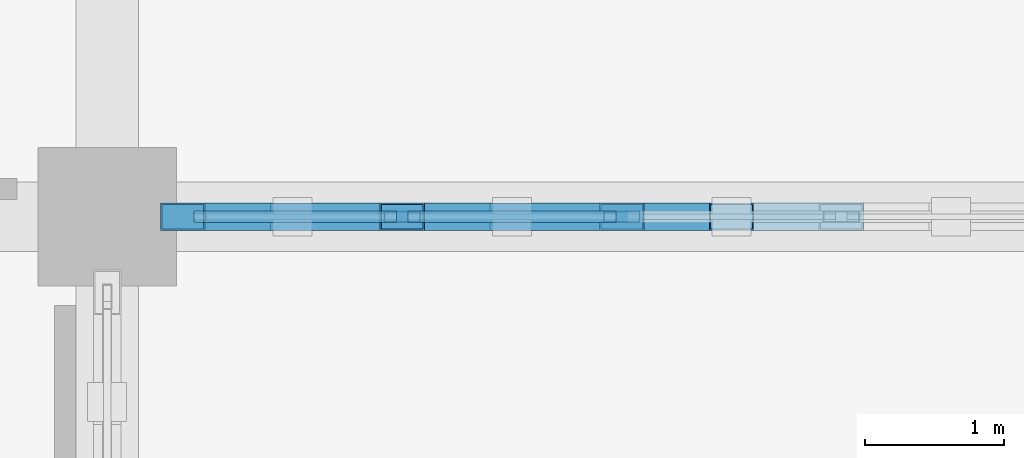
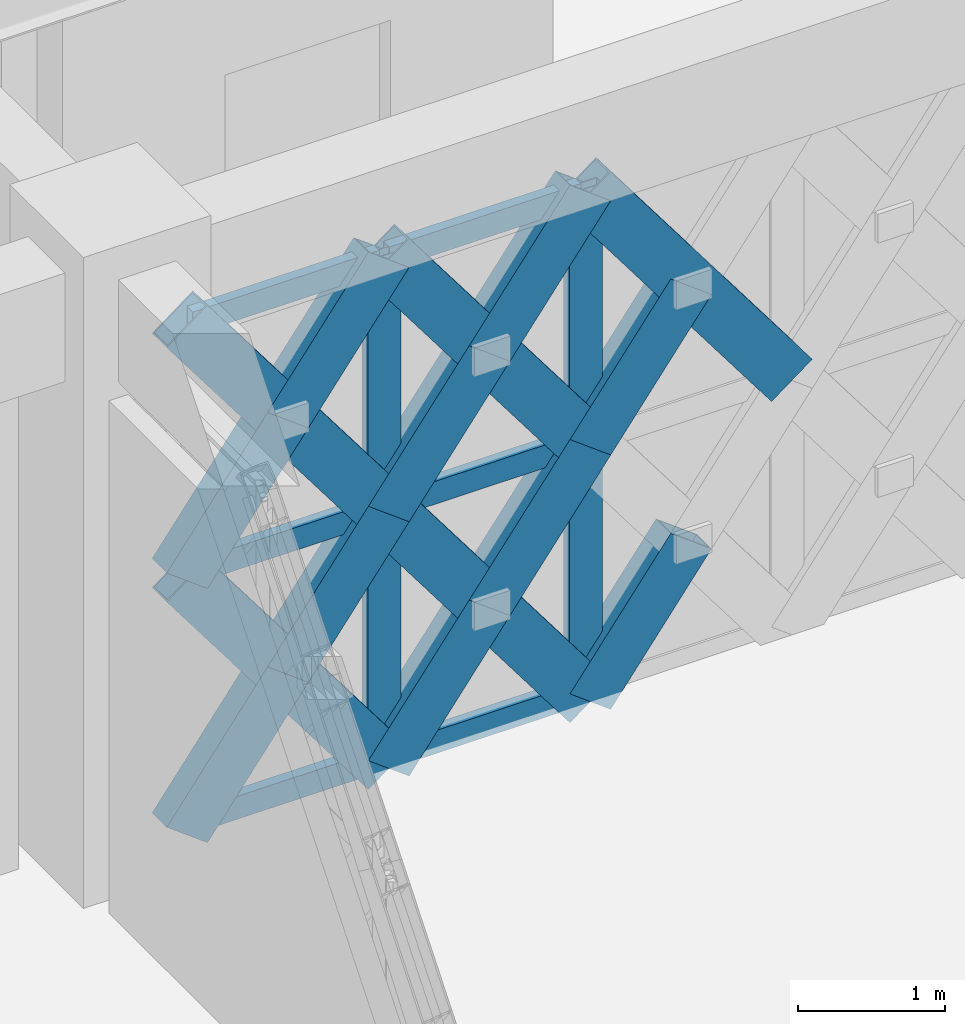
# One storey, part 59 of 140: 23 members, 1 element without a shape of its own.
"""IFC4 building model written with IfcOpenShell, lengths in metres."""

import ifcopenshell
import ifcopenshell.guid

model = None  # the IFC model being written
_history = None  # IfcOwnerHistory: only IFC2X3 demands one
_inside = {}  # id of a spatial element -> (the spatial element, [elements in it])
_under = {}  # id of a project, library or spatial element -> (it, [spatial elements below it])
_declared = {}  # id of a project -> (the project, [libraries it declares])
_typed = {}  # id of a type object -> (the type object, [elements of that type])
_made_of = {}  # id of a material, layer set ... -> (it, [elements and type objects made of it])


def new_model(schema):
    """Start an empty IFC model of exactly this schema.

    Asked for "IFC4X3", IfcOpenShell would pick the latest addendum, in which some entities
    have other attributes; the version numbers below select the first issue.
    IFC2X3 requires an IfcOwnerHistory on every rooted entity: one is made here for all.
    """
    global model, _history
    if schema == "IFC4X3":
        model = ifcopenshell.file(schema_version=(4, 3, 0, 0))
    else:
        model = ifcopenshell.file(schema=schema)
    _inside.clear()
    _under.clear()
    _declared.clear()
    _typed.clear()
    _made_of.clear()
    _history = None
    if model.schema == "IFC2X3":
        org = make("IfcOrganization", Name="unknown")
        user = make(
            "IfcPersonAndOrganization",
            ThePerson=make("IfcPerson", FamilyName="unknown"),
            TheOrganization=org,
        )
        app = make(
            "IfcApplication",
            ApplicationDeveloper=org,
            Version="unknown",
            ApplicationFullName="unknown",
            ApplicationIdentifier="unknown",
        )
        _history = make(
            "IfcOwnerHistory",
            OwningUser=user,
            OwningApplication=app,
            ChangeAction="ADDED",
            CreationDate=0,
        )
    return model


def make(cls, **values):
    """One entity of the class cls with the attributes given. An attribute that is None is left unset."""
    return model.create_entity(
        cls, **{name: value for name, value in values.items() if value is not None}
    )


def rooted(cls, **values):
    """An entity with a GlobalId (a new one), such as an element, a storey or a relation."""
    return make(cls, GlobalId=ifcopenshell.guid.new(), OwnerHistory=_history, **values)


def si_unit(unit_type, name, prefix=None):
    """IfcSIUnit, for example si_unit("LENGTHUNIT", "METRE", prefix="MILLI")."""
    return make("IfcSIUnit", UnitType=unit_type, Prefix=prefix, Name=name)


def assignment(units):
    """IfcUnitAssignment: the units of a project."""
    return None if units is None else make("IfcUnitAssignment", Units=units)


def point(xyz):
    """IfcCartesianPoint."""
    return None if xyz is None else make("IfcCartesianPoint", Coordinates=xyz)


def direction(xyz):
    """IfcDirection."""
    return None if xyz is None else make("IfcDirection", DirectionRatios=xyz)


def frame(location, z_axis=None, x_axis=None):
    """IfcAxis2Placement3D, a coordinate frame: its origin and axes. An axis left out is left unset."""
    return make(
        "IfcAxis2Placement3D",
        Location=point(location),
        Axis=direction(z_axis),
        RefDirection=direction(x_axis),
    )


def frame_2d(location, x_axis=None):
    """IfcAxis2Placement2D, a coordinate frame in the plane: its origin and x axis."""
    return make(
        "IfcAxis2Placement2D", Location=point(location), RefDirection=direction(x_axis)
    )


def origin():
    """The frame at (0, 0, 0) with its axes left unset."""
    return frame((0.0, 0.0, 0.0))


def origin_2d():
    """The frame at (0, 0) in the plane with its x axis left unset."""
    return frame_2d((0.0, 0.0))


def place(relative_to, where):
    """IfcLocalPlacement: puts the frame where relative to a parent placement (None: the world)."""
    return make(
        "IfcLocalPlacement", PlacementRelTo=relative_to, RelativePlacement=where
    )


def context(
    kind, dimensions, precision=None, world=None, true_north=None, identifier=None
):
    """IfcGeometricRepresentationContext, for example the 3D "Model" context."""
    return make(
        "IfcGeometricRepresentationContext",
        ContextIdentifier=identifier,
        ContextType=kind,
        CoordinateSpaceDimension=dimensions,
        Precision=precision,
        WorldCoordinateSystem=world,
        TrueNorth=true_north,
    )


def subcontext(parent, identifier, kind, view, scale=None):
    """IfcGeometricRepresentationSubContext, for example "Body" below "Model"."""
    return make(
        "IfcGeometricRepresentationSubContext",
        ContextIdentifier=identifier,
        ContextType=kind,
        ParentContext=parent,
        TargetScale=scale,
        TargetView=view,
    )


def project(units=None, contexts=None):
    """IfcProject with its units and contexts."""
    return rooted(
        "IfcProject",
        Name="project",
        RepresentationContexts=contexts,
        UnitsInContext=assignment(units),
    )


def spatial(cls, under=None, at=None, **own):
    """A site, building, storey or space (cls), placed at a placement, below another one or the project."""
    s = rooted(cls, ObjectPlacement=at, **own)
    if under is not None:
        _under.setdefault(under.id(), (under, []))[1].append(s)
    return s


def profile(cls, at=None, kind="AREA", **sizes):
    """A parametric profile (cls). Its sizes go by their IFC names, for example OverallWidth=200.0."""
    return make(cls, ProfileType=kind, Position=at, **sizes)


def hollow_rectangle(**sizes):
    """IfcRectangleHollowProfileDef."""
    return profile("IfcRectangleHollowProfileDef", **sizes)


def extrude(swept, where, along, depth):
    """IfcExtrudedAreaSolid: the profile swept, set in the frame where, extruded along a direction by depth."""
    return make(
        "IfcExtrudedAreaSolid",
        SweptArea=swept,
        Position=where,
        ExtrudedDirection=direction(along),
        Depth=depth,
    )


def shape(context_of_items, identifier, shape_type, items):
    """IfcShapeRepresentation: the items that make up one representation, for example the "Body"."""
    return make(
        "IfcShapeRepresentation",
        ContextOfItems=context_of_items,
        RepresentationIdentifier=identifier,
        RepresentationType=shape_type,
        Items=items,
    )


def material(Name=None, Category=None):
    """IfcMaterial."""
    return make("IfcMaterial", Name=Name, Category=Category)


def material_profile(
    of_material, cross_section, Name=None, Category=None, Priority=None
):
    """IfcMaterialProfile: a cross section and its material."""
    return make(
        "IfcMaterialProfile",
        Name=Name,
        Material=of_material,
        Profile=cross_section,
        Priority=Priority,
        Category=Category,
    )


def profile_set(profiles, Name=None, composite=None):
    """IfcMaterialProfileSet."""
    return make(
        "IfcMaterialProfileSet",
        Name=Name,
        MaterialProfiles=profiles,
        CompositeProfile=composite,
    )


def made_of(thing, what):
    """Note that an element or type object is made of a material, layer set ...; save() writes the relation."""
    if what is not None:
        _made_of.setdefault(what.id(), (what, []))[1].append(thing)
    return thing


def type_object(cls, material=None, **own):
    """A type object (cls), such as IfcWallType, which elements share."""
    return made_of(rooted(cls, **own), material)


def element(
    cls,
    number,
    at=None,
    inside=None,
    cuts=None,
    type_object=None,
    material=None,
    context=None,
    identifier="Body",
    shape_type=None,
    held_by="IfcProductDefinitionShape",
    body=None,
    shapes=None,
    **own,
):
    """One element of the class cls, such as IfcWall. Its Tag is "e" and its number.

    at: its placement. inside: the storey or other place that contains it. cuts: it is an
    opening in that element (IfcRelVoidsElement). A single representation is given by context,
    identifier, shape_type and body (its items); several are given by shapes. held_by: the class
    of the entity that holds the representations. save() writes the other relations.
    """
    e = rooted(cls, Tag="e%d" % number, ObjectPlacement=at, **own)
    if body is not None:
        shapes = [shape(context, identifier, shape_type, body)]
    if shapes is not None:
        e.Representation = make(held_by, Representations=shapes)
    if inside is not None:
        _inside.setdefault(inside.id(), (inside, []))[1].append(e)
    if cuts is not None:
        rooted(
            "IfcRelVoidsElement", RelatingBuildingElement=cuts, RelatedOpeningElement=e
        )
    if type_object is not None:
        _typed.setdefault(type_object.id(), (type_object, []))[1].append(e)
    return made_of(e, material)


def aggregate(whole, parts):
    """IfcRelAggregates: a whole, such as a stair, and the parts it consists of."""
    return rooted("IfcRelAggregates", RelatingObject=whole, RelatedObjects=parts)


def save(model, path):
    """Write the relations noted so far, then the file.

    IfcRelAggregates (storeys below a building ...), IfcRelContainedInSpatialStructure (elements
    in a storey), IfcRelDefinesByType, IfcRelAssociatesMaterial and IfcRelDeclares: one each for
    every whole, place, type object, material and project.
    """
    for whole, parts in _under.values():
        aggregate(whole, parts)
    for where, things in _inside.values():
        rooted(
            "IfcRelContainedInSpatialStructure",
            RelatedElements=things,
            RelatingStructure=where,
        )
    for kind, things in _typed.values():
        rooted("IfcRelDefinesByType", RelatedObjects=things, RelatingType=kind)
    for what, things in _made_of.values():
        rooted("IfcRelAssociatesMaterial", RelatedObjects=things, RelatingMaterial=what)
    for by, libraries in _declared.values():
        rooted("IfcRelDeclares", RelatingContext=by, RelatedDefinitions=libraries)
    model.write(path)


model = new_model("IFC4")

# Units and contexts
model_context = context("Model", 3, precision=1e-05, world=origin(), true_north=direction((0.0, 1.0)))
body_context = subcontext(model_context, "Body", "Model", "MODEL_VIEW")
ifc_project = project(units=[si_unit("LENGTHUNIT", "METRE"), si_unit("AREAUNIT", "SQUARE_METRE"), si_unit("VOLUMEUNIT", "CUBIC_METRE"), si_unit("PLANEANGLEUNIT", "RADIAN"), si_unit("MASSUNIT", "GRAM", prefix="KILO")], contexts=[model_context])

# Site, building, storey
site_placement = place(None, origin())
site = spatial("IfcSite", under=ifc_project, at=site_placement, CompositionType="ELEMENT")
building_placement = place(site_placement, origin())
building = spatial("IfcBuilding", under=site, at=building_placement, Name="Haizhuo Lancet Aquarium", CompositionType="ELEMENT")
storey_placement = place(building_placement, origin())
storey = spatial("IfcBuildingStorey", under=building, at=storey_placement, Name="L00", CompositionType="ELEMENT", Elevation=0.0)

# Curtain wall, members
ifc_material_1 = material(Name="Aluminium 6063-T6", Category="aluminium")
curtain_wall_type = type_object("IfcCurtainWallType", Name="CWD-7910x4220", PredefinedType="NOTDEFINED", material=ifc_material_1)
curtain_wall_placement = place(storey_placement, origin())
curtain_wall = element("IfcCurtainWall", 1, at=curtain_wall_placement, inside=storey, type_object=curtain_wall_type, Name="L00 curtain wall CW-V5-L00-123", PredefinedType="NOTDEFINED")
ifc_material_profile_1 = material_profile(ifc_material_1, hollow_rectangle(XDim=0.080078125, YDim=0.260009765625, WallThickness=0.0048828125, at=origin_2d()), Name="ALU-M 80x260x5")
ifc_profile_set_1 = profile_set([ifc_material_profile_1], Name="Aluminium 6063-T6")
member_type_1 = type_object("IfcMemberType", Name="CW-MUL-3", PredefinedType="MULLION", material=ifc_profile_set_1)
member_1_placement = place(storey_placement, frame((12.708984375, 36.0, 0.0), z_axis=(0.0, 0.0, 1.0), x_axis=(0.0, -1.0, 0.0)))
member_1 = element("IfcMember", 2, at=member_1_placement, type_object=member_type_1, Name="CWD-79x42 mullion 4", PredefinedType="MULLION", context=body_context, shape_type="SweptSolid", body=[
    extrude(hollow_rectangle(XDim=0.080078125, YDim=0.260009765625, WallThickness=0.0048828125, at=origin_2d()), origin(), (0.0, 0.0, 1.0), 4.219970703125),
])
member_2_placement = place(storey_placement, frame((11.126953125, 36.0, 0.0), z_axis=(0.0, 0.0, 1.0), x_axis=(0.0, -1.0, 0.0)))
member_2 = element("IfcMember", 3, at=member_2_placement, type_object=member_type_1, Name="CWD-79x42 mullion 5", PredefinedType="MULLION", context=body_context, shape_type="SweptSolid", body=[
    extrude(hollow_rectangle(XDim=0.080078125, YDim=0.260009765625, WallThickness=0.0048828125, at=origin_2d()), origin(), (0.0, 0.0, 1.0), 4.219970703125),
])
ifc_material_profile_2 = material_profile(ifc_material_1, hollow_rectangle(XDim=0.080078125, YDim=0.18994140625, WallThickness=0.0048828125, at=origin_2d()), Name="ALU-T 80x190x5")
ifc_profile_set_2 = profile_set([ifc_material_profile_2], Name="Aluminium 6063-T6")
member_type_2 = type_object("IfcMemberType", Name="CW-TRN-3", PredefinedType="NOTDEFINED", material=ifc_profile_set_2)
member_3_placement = place(storey_placement, frame((12.6689453125, 36.0, 0.0400390625), z_axis=(-1.0, 0.0, 0.0), x_axis=(0.0, -1.0, 0.0)))
member_3 = element("IfcMember", 4, at=member_3_placement, type_object=member_type_2, Name="CWD-79x42 transom 4.1", ObjectType="TRANSOM", PredefinedType="USERDEFINED", context=body_context, shape_type="SweptSolid", body=[
    extrude(hollow_rectangle(XDim=0.080078125, YDim=0.18994140625, WallThickness=0.0048828125, at=origin_2d()), origin(), (0.0, 0.0, 1.0), 1.501953125),
])
member_4_placement = place(storey_placement, frame((12.6689453125, 36.0, 2.110107421875), z_axis=(-1.0, 0.0, 0.0), x_axis=(0.0, -1.0, 0.0)))
member_4 = element("IfcMember", 5, at=member_4_placement, type_object=member_type_2, Name="CWD-79x42 transom 4.2", ObjectType="TRANSOM", PredefinedType="USERDEFINED", context=body_context, shape_type="SweptSolid", body=[
    extrude(hollow_rectangle(XDim=0.080078125, YDim=0.18994140625, WallThickness=0.0048828125, at=origin_2d()), origin(), (0.0, 0.0, 1.0), 1.501953125),
])
member_5_placement = place(storey_placement, frame((12.6689453125, 36.0, 4.179931640625), z_axis=(-1.0, 0.0, 0.0), x_axis=(0.0, -1.0, 0.0)))
member_5 = element("IfcMember", 6, at=member_5_placement, type_object=member_type_2, Name="CWD-79x42 transom 4.3", ObjectType="TRANSOM", PredefinedType="USERDEFINED", context=body_context, shape_type="SweptSolid", body=[
    extrude(hollow_rectangle(XDim=0.080078125, YDim=0.18994140625, WallThickness=0.0048828125, at=origin_2d()), origin(), (0.0, 0.0, 1.0), 1.501953125),
])
member_6_placement = place(storey_placement, frame((11.0869140625, 36.0, 0.0400390625), z_axis=(-1.0, 0.0, 0.0), x_axis=(0.0, -1.0, 0.0)))
member_6 = element("IfcMember", 7, at=member_6_placement, type_object=member_type_2, Name="CWD-79x42 transom 5.1", ObjectType="TRANSOM", PredefinedType="USERDEFINED", context=body_context, shape_type="SweptSolid", body=[
    extrude(hollow_rectangle(XDim=0.080078125, YDim=0.18994140625, WallThickness=0.0048828125, at=origin_2d()), origin(), (0.0, 0.0, 1.0), 1.4619140625),
])
member_7_placement = place(storey_placement, frame((11.0869140625, 36.0, 2.110107421875), z_axis=(-1.0, 0.0, 0.0), x_axis=(0.0, -1.0, 0.0)))
member_7 = element("IfcMember", 8, at=member_7_placement, type_object=member_type_2, Name="CWD-79x42 transom 5.2", ObjectType="TRANSOM", PredefinedType="USERDEFINED", context=body_context, shape_type="SweptSolid", body=[
    extrude(hollow_rectangle(XDim=0.080078125, YDim=0.18994140625, WallThickness=0.0048828125, at=origin_2d()), origin(), (0.0, 0.0, 1.0), 1.4619140625),
])
member_8_placement = place(storey_placement, frame((11.0869140625, 36.0, 4.179931640625), z_axis=(-1.0, 0.0, 0.0), x_axis=(0.0, -1.0, 0.0)))
member_8 = element("IfcMember", 9, at=member_8_placement, type_object=member_type_2, Name="CWD-79x42 transom 5.3", ObjectType="TRANSOM", PredefinedType="USERDEFINED", context=body_context, shape_type="SweptSolid", body=[
    extrude(hollow_rectangle(XDim=0.080078125, YDim=0.18994140625, WallThickness=0.0048828125, at=origin_2d()), origin(), (0.0, 0.0, 1.0), 1.4619140625),
])
aggregate(curtain_wall, [member_1, member_2, member_3, member_4, member_5, member_6, member_7, member_8])

# Members
ifc_material_2 = material(Name="Steel S355", Category="steel")
ifc_material_profile_3 = material_profile(ifc_material_2, hollow_rectangle(XDim=0.199951171875, YDim=0.39990234375, WallThickness=0.011962890625, at=origin_2d()), Name="RHS 200x400x12")
ifc_profile_set_3 = profile_set([ifc_material_profile_3], Name="Steel S355")
member_type_3 = type_object("IfcMemberType", Name="MEM-LB-RHS200x400", PredefinedType="BRACE", material=ifc_profile_set_3)
member_9_placement = place(storey_placement, frame((12.708984375, 36.0, 0.0), z_axis=(0.599911120576, 0.0, 0.800066651854), x_axis=(0.0, 1.0, 0.0)))
element("IfcMember", 10, at=member_9_placement, inside=storey, type_object=member_type_3, Name="Gothic lancet split diagonal brace CW-V5-L00-123 5B1", PredefinedType="BRACE", context=body_context, shape_type="SweptSolid", body=[
    extrude(hollow_rectangle(XDim=0.199951171875, YDim=0.39990234375, WallThickness=0.011962890625, at=origin_2d()), origin(), (0.0, 0.0, 1.0), 1.318603515625),
])
member_10_placement = place(storey_placement, frame((14.291015625, 36.0, 2.110107421875), z_axis=(-0.599911120576, 0.0, 0.800066651854), x_axis=(0.0, -1.0, 0.0)))
element("IfcMember", 11, at=member_10_placement, inside=storey, type_object=member_type_3, Name="Gothic lancet continuous diagonal brace CW-V5-L00-123 6A", PredefinedType="BRACE", context=body_context, shape_type="SweptSolid", body=[
    extrude(hollow_rectangle(XDim=0.199951171875, YDim=0.39990234375, WallThickness=0.011962890625, at=origin_2d()), origin(), (0.0, 0.0, 1.0), 2.63720703125),
])
member_11_placement = place(storey_placement, frame((12.708984375, 36.0, 2.110107421875), z_axis=(0.599911120576, 0.0, 0.800066651854), x_axis=(0.0, 1.0, 0.0)))
element("IfcMember", 12, at=member_11_placement, inside=storey, type_object=member_type_3, Name="Gothic lancet split diagonal brace CW-V5-L00-123 6B1", PredefinedType="BRACE", context=body_context, shape_type="SweptSolid", body=[
    extrude(hollow_rectangle(XDim=0.199951171875, YDim=0.39990234375, WallThickness=0.011962890625, at=origin_2d()), origin(), (0.0, 0.0, 1.0), 1.318603515625),
])
member_12_placement = place(storey_placement, frame((12.708984375, 36.0, 0.0), z_axis=(-0.599866687962, 0.0, 0.800099966675), x_axis=(0.0, -1.0, 0.0)))
element("IfcMember", 13, at=member_12_placement, inside=storey, type_object=member_type_3, Name="Gothic lancet continuous diagonal brace CW-V5-L00-123 7A", PredefinedType="BRACE", context=body_context, shape_type="SweptSolid", body=[
    extrude(hollow_rectangle(XDim=0.199951171875, YDim=0.39990234375, WallThickness=0.011962890625, at=origin_2d()), origin(), (0.0, 0.0, 1.0), 2.63720703125),
])
member_13_placement = place(storey_placement, frame((11.126953125, 36.0, 0.0), z_axis=(0.599911120576, 0.0, 0.800066651854), x_axis=(0.0, 1.0, 0.0)))
element("IfcMember", 14, at=member_13_placement, inside=storey, type_object=member_type_3, Name="Gothic lancet split diagonal brace CW-V5-L00-123 7B1", PredefinedType="BRACE", context=body_context, shape_type="SweptSolid", body=[
    extrude(hollow_rectangle(XDim=0.199951171875, YDim=0.39990234375, WallThickness=0.011962890625, at=origin_2d()), origin(), (0.0, 0.0, 1.0), 1.318603515625),
])
member_14_placement = place(storey_placement, frame((11.91796875, 36.0, 1.054931640625), z_axis=(0.59982226008, 0.0, 0.800133274094), x_axis=(0.0, 1.0, 0.0)))
element("IfcMember", 15, at=member_14_placement, inside=storey, type_object=member_type_3, Name="Gothic lancet split diagonal brace CW-V5-L00-123 7B2", PredefinedType="BRACE", context=body_context, shape_type="SweptSolid", body=[
    extrude(hollow_rectangle(XDim=0.199951171875, YDim=0.39990234375, WallThickness=0.011962890625, at=origin_2d()), origin(), (0.0, 0.0, 1.0), 1.31884765625),
])
member_15_placement = place(storey_placement, frame((12.708984375, 36.0, 2.110107421875), z_axis=(-0.599911120576, 0.0, 0.800066651854), x_axis=(0.0, -1.0, 0.0)))
element("IfcMember", 16, at=member_15_placement, inside=storey, type_object=member_type_3, Name="Gothic lancet continuous diagonal brace CW-V5-L00-123 8A", PredefinedType="BRACE", context=body_context, shape_type="SweptSolid", body=[
    extrude(hollow_rectangle(XDim=0.199951171875, YDim=0.39990234375, WallThickness=0.011962890625, at=origin_2d()), origin(), (0.0, 0.0, 1.0), 2.63720703125),
])
for number, where, z_axis, x_axis, name in (
    (17, (11.126953125, 36.0, 2.110107421875), (0.599911120576, 0.0, 0.800066651854), (0.0, 1.0, 0.0), "Gothic lancet split diagonal brace CW-V5-L00-123 8B1"),
    (18, (11.91796875, 36.0, 3.1650390625), (0.599911120576, 0.0, 0.800066651854), (0.0, 1.0, 0.0), "Gothic lancet split diagonal brace CW-V5-L00-123 8B2"),
):
    element("IfcMember", number, at=place(storey_placement, frame(where, z_axis=z_axis, x_axis=x_axis)), inside=storey, type_object=member_type_3, Name=name, PredefinedType="BRACE", context=body_context, shape_type="SweptSolid", body=[
        extrude(hollow_rectangle(XDim=0.199951171875, YDim=0.39990234375, WallThickness=0.011962890625, at=origin_2d()), origin(), (0.0, 0.0, 1.0), 1.318603515625),
    ])
member_16_placement = place(storey_placement, frame((11.126953125, 36.0, 0.0), z_axis=(-0.599866687962, 0.0, 0.800099966675), x_axis=(0.0, -1.0, 0.0)))
element("IfcMember", 19, at=member_16_placement, inside=storey, type_object=member_type_3, Name="Gothic lancet continuous diagonal brace CW-V5-L00-123 9A", PredefinedType="BRACE", context=body_context, shape_type="SweptSolid", body=[
    extrude(hollow_rectangle(XDim=0.199951171875, YDim=0.39990234375, WallThickness=0.011962890625, at=origin_2d()), origin(), (0.0, 0.0, 1.0), 2.63720703125),
])
member_17_placement = place(storey_placement, frame((9.544921875, 36.0, 0.0), z_axis=(0.599911120576, 0.0, 0.800066651854), x_axis=(0.0, 1.0, 0.0)))
element("IfcMember", 20, at=member_17_placement, inside=storey, type_object=member_type_3, Name="Gothic lancet split diagonal brace CW-V5-L00-123 9B1", PredefinedType="BRACE", context=body_context, shape_type="SweptSolid", body=[
    extrude(hollow_rectangle(XDim=0.199951171875, YDim=0.39990234375, WallThickness=0.011962890625, at=origin_2d()), origin(), (0.0, 0.0, 1.0), 1.318603515625),
])
member_18_placement = place(storey_placement, frame((10.3359375, 36.0, 1.054931640625), z_axis=(0.59982226008, 0.0, 0.800133274094), x_axis=(0.0, 1.0, 0.0)))
element("IfcMember", 21, at=member_18_placement, inside=storey, type_object=member_type_3, Name="Gothic lancet split diagonal brace CW-V5-L00-123 9B2", PredefinedType="BRACE", context=body_context, shape_type="SweptSolid", body=[
    extrude(hollow_rectangle(XDim=0.199951171875, YDim=0.39990234375, WallThickness=0.011962890625, at=origin_2d()), origin(), (0.0, 0.0, 1.0), 1.31884765625),
])
member_19_placement = place(storey_placement, frame((11.126953125, 36.0, 2.110107421875), z_axis=(-0.599911120576, 0.0, 0.800066651854), x_axis=(0.0, -1.0, 0.0)))
element("IfcMember", 22, at=member_19_placement, inside=storey, type_object=member_type_3, Name="Gothic lancet continuous diagonal brace CW-V5-L00-123 10A", PredefinedType="BRACE", context=body_context, shape_type="SweptSolid", body=[
    extrude(hollow_rectangle(XDim=0.199951171875, YDim=0.39990234375, WallThickness=0.011962890625, at=origin_2d()), origin(), (0.0, 0.0, 1.0), 2.63720703125),
])
for number, where, z_axis, x_axis, name in (
    (23, (9.544921875, 36.0, 2.110107421875), (0.599911120576, 0.0, 0.800066651854), (0.0, 1.0, 0.0), "Gothic lancet split diagonal brace CW-V5-L00-123 10B1"),
    (24, (10.3359375, 36.0, 3.1650390625), (0.599911120576, 0.0, 0.800066651854), (0.0, 1.0, 0.0), "Gothic lancet split diagonal brace CW-V5-L00-123 10B2"),
):
    element("IfcMember", number, at=place(storey_placement, frame(where, z_axis=z_axis, x_axis=x_axis)), inside=storey, type_object=member_type_3, Name=name, PredefinedType="BRACE", context=body_context, shape_type="SweptSolid", body=[
        extrude(hollow_rectangle(XDim=0.199951171875, YDim=0.39990234375, WallThickness=0.011962890625, at=origin_2d()), origin(), (0.0, 0.0, 1.0), 1.318603515625),
    ])

save(model, "model.ifc")
